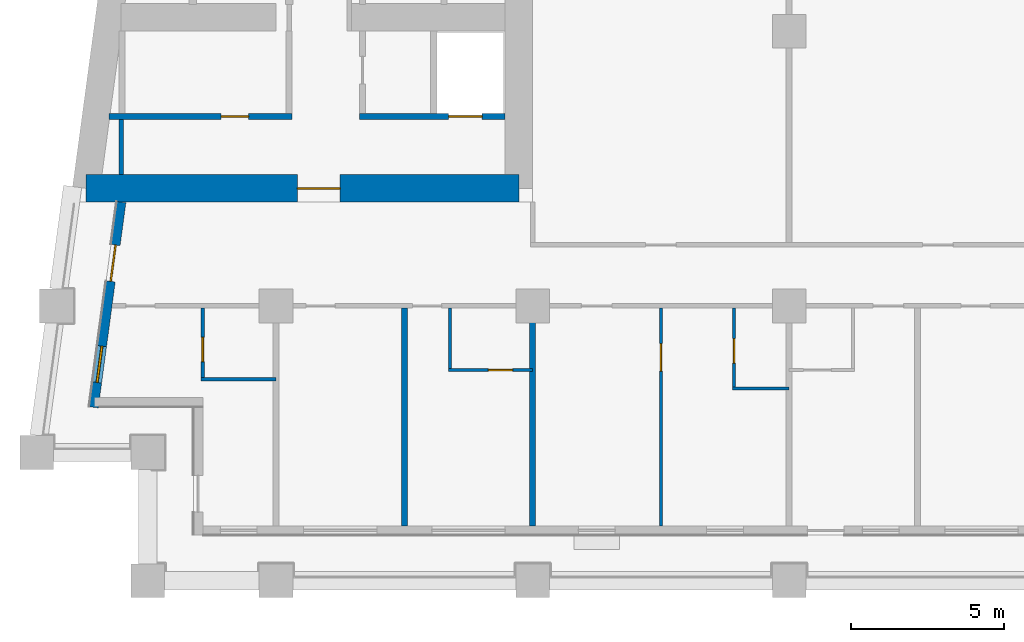
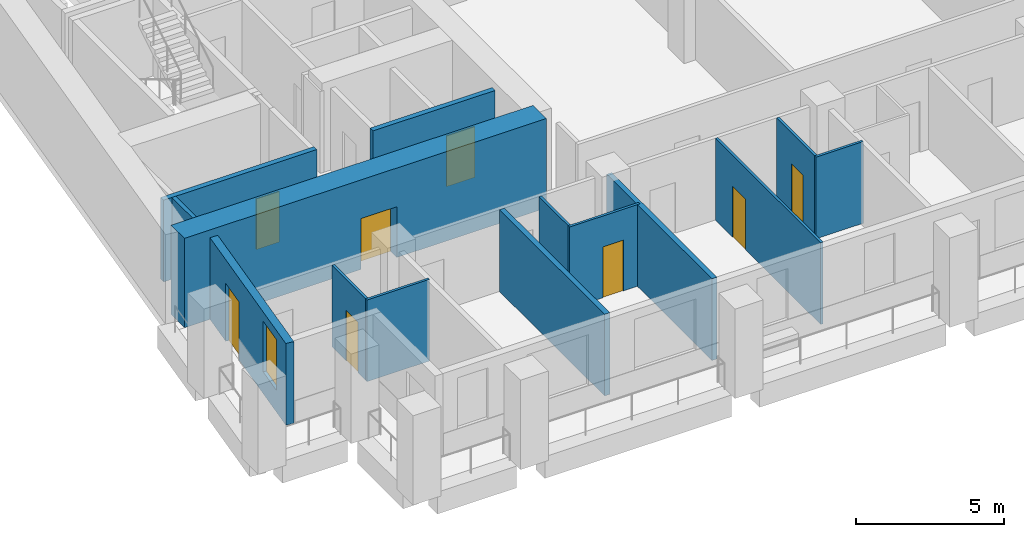
# One storey, part 2 of 13: 14 walls, 8 doors, 1 window, 9 openings.
"""IFC4 building model written with IfcOpenShell, lengths in metres."""

from ifc_helpers import new_model, si_unit, direction, frame, frame_2d, origin, place, context, subcontext, project, spatial, rectangle, extrude, material, layer, layer_set, type_object, element, fill, save


model = new_model("IFC4")

# Units and contexts
model_context = context("Model", 3, precision=1e-05, world=origin(), true_north=direction((0.0, 1.0)))
body_context = subcontext(model_context, "Body", "Model", "MODEL_VIEW")
ifc_project = project(units=[si_unit("LENGTHUNIT", "METRE"), si_unit("AREAUNIT", "SQUARE_METRE"), si_unit("VOLUMEUNIT", "CUBIC_METRE"), si_unit("PLANEANGLEUNIT", "RADIAN"), si_unit("MASSUNIT", "GRAM", prefix="KILO")], contexts=[model_context])

# Site, building, storey
site_placement = place(None, origin())
site = spatial("IfcSite", under=ifc_project, at=site_placement, CompositionType="ELEMENT")
building_placement = place(site_placement, origin())
building = spatial("IfcBuilding", under=site, at=building_placement, Name="Candeia Pilgrim Tower and Theatre", CompositionType="ELEMENT")
storey_placement = place(building_placement, frame((0.0, 0.0, 170.0)))
storey = spatial("IfcBuildingStorey", under=building, at=storey_placement, Name="L40", CompositionType="ELEMENT", Elevation=170.0)

# Wall, opening, door
ifc_material_1 = material(Name="Concrete C60/75", Category="concrete")
ifc_layer_1 = layer(ifc_material_1, 0.89990234375)
ifc_layer_set_1 = layer_set([ifc_layer_1], Name="Core wall 900 C60/75")
wall_type_1 = type_object("IfcWallType", Name="Core wall 900 C60/75", PredefinedType="SHEAR", material=ifc_layer_set_1)
wall_1_placement = place(storey_placement, frame((100.35009765625, 110.85009765625, 0.0), z_axis=(0.0, 0.0, 1.0), x_axis=(-1.0, 0.0, 0.0)))
wall_1 = element("IfcWall", 1, at=wall_1_placement, inside=storey, type_object=wall_type_1, Name="Core wall W3", PredefinedType="SHEAR", context=body_context, shape_type="SweptSolid", body=[
    extrude(rectangle(XDim=14.166259765625, YDim=0.89990234375, at=frame_2d((7.0830078125, 0.0))), origin(), (0.0, 0.0, 1.0), 3.699951171875),
])
opening_1_placement = place(wall_1_placement, frame((5.854736328125, 0.0, 0.0)))
opening_1 = element("IfcOpeningElement", 2, at=opening_1_placement, cuts=wall_1, Name="Opening L40-D050", PredefinedType="OPENING", context=body_context, shape_type="SweptSolid", body=[
    extrude(rectangle(XDim=1.39990234375, YDim=2.10009765625, at=frame_2d((0.699951171875, 1.050048828125))), frame((0.0, 0.4599609375, 0.0), z_axis=(0.0, -1.0, 0.0), x_axis=(1.0, 0.0, 0.0)), (0.0, 0.0, 1.0), 0.919921875),
])
ifc_material_2 = material(Name="Steel fire door set", Category="steel")
door_type_1 = type_object("IfcDoorType", Name="D-1400-FD60", OperationType="NOTDEFINED", PredefinedType="DOOR", material=ifc_material_2)
door_1_placement = place(opening_1_placement, origin())
door_1 = element("IfcDoor", 3, at=door_1_placement, inside=storey, type_object=door_type_1, Name="Door L40-D050", OperationType="SINGLE_SWING_RIGHT", OverallHeight=2.10009765625, OverallWidth=1.39990234375, PredefinedType="DOOR", context=body_context, shape_type="SweptSolid", body=[
    extrude(rectangle(XDim=1.39990234375, YDim=2.10009765625, at=frame_2d((0.699951171875, 1.050048828125))), frame((0.0, 0.02490234375, 0.0), z_axis=(0.0, -1.0, 0.0), x_axis=(1.0, 0.0, 0.0)), (0.0, 0.0, 1.0), 0.050048828125),
])
fill(opening_1, door_1)

# Wall, openings, door, window
ifc_material_3 = material(Name="Ceramic block masonry", Category="masonry")
ifc_layer_2 = layer(ifc_material_3, 0.300048828125)
ifc_layer_set_2 = layer_set([ifc_layer_2], Name="EW1 glazing-line wall 300")
wall_type_2 = type_object("IfcWallType", Name="EW1 glazing-line wall 300", PredefinedType="SOLIDWALL", material=ifc_layer_set_2)
wall_2_placement = place(storey_placement, frame((87.334228515625, 110.39990234375, 0.0), z_axis=(0.0, 0.0, 1.0), x_axis=(-0.133437175554, -0.991057273915, 0.0)))
wall_2 = element("IfcWall", 4, at=wall_2_placement, inside=storey, type_object=wall_type_2, Name="External wall L40-9.1", PredefinedType="SOLIDWALL", context=body_context, shape_type="SweptSolid", body=[
    extrude(rectangle(XDim=6.780517578125, YDim=0.300048828125, at=frame_2d((3.39013671875, 0.0))), origin(), (0.0, 0.0, 1.0), 3.3798828125),
])
opening_2_placement = place(wall_2_placement, frame((1.41796875, 0.0, 0.0)))
opening_2 = element("IfcOpeningElement", 5, at=opening_2_placement, cuts=wall_2, Name="Opening L40-ED390", PredefinedType="OPENING", context=body_context, shape_type="SweptSolid", body=[
    extrude(rectangle(XDim=1.199951171875, YDim=2.39990234375, at=frame_2d((0.60009765625, 1.199951171875))), frame((0.0, 0.16015625, 0.0), z_axis=(0.0, -1.0, 0.0), x_axis=(1.0, 0.0, 0.0)), (0.0, 0.0, 1.0), 0.320068359375),
])
opening_3_placement = place(wall_2_placement, frame((4.75830078125, 0.0, 0.89990234375)))
opening_3 = element("IfcOpeningElement", 6, at=opening_3_placement, cuts=wall_2, Name="Opening W-B", PredefinedType="OPENING", context=body_context, shape_type="SweptSolid", body=[
    extrude(rectangle(XDim=1.199951171875, YDim=2.10009765625, at=frame_2d((0.60009765625, 1.050048828125))), frame((0.0, 0.16015625, 0.0), z_axis=(0.0, -1.0, 0.0), x_axis=(1.0, 0.0, 0.0)), (0.0, 0.0, 1.0), 0.320068359375),
])
ifc_material_4 = material(Name="Aluminium framed glazed door", Category="aluminium")
door_type_2 = type_object("IfcDoorType", Name="Loggia door 1200x2400", OperationType="DOUBLE_DOOR_SINGLE_SWING", PredefinedType="DOOR", material=ifc_material_4)
door_2_placement = place(opening_2_placement, origin())
door_2 = element("IfcDoor", 7, at=door_2_placement, inside=storey, type_object=door_type_2, Name="Loggia door L40-ED390", OperationType="DOUBLE_DOOR_SINGLE_SWING", OverallHeight=2.39990234375, OverallWidth=1.199951171875, PredefinedType="DOOR", context=body_context, shape_type="SweptSolid", body=[
    extrude(rectangle(XDim=1.199951171875, YDim=2.39990234375, at=frame_2d((0.60009765625, 1.199951171875))), frame((0.0, 0.02490234375, 0.0), z_axis=(0.0, -1.0, 0.0), x_axis=(1.0, 0.0, 0.0)), (0.0, 0.0, 1.0), 0.050048828125),
])
fill(opening_2, door_2)
ifc_material_5 = material(Name="Aluminium framed double glazing", Category="aluminium")
window_type = type_object("IfcWindowType", Name="W-B window 1200x2100", PartitioningType="SINGLE_PANEL", PredefinedType="WINDOW", material=ifc_material_5)
window_placement = place(opening_3_placement, origin())
window = element("IfcWindow", 8, at=window_placement, inside=storey, type_object=window_type, Name="Window W-B L40", OverallHeight=2.10009765625, OverallWidth=1.199951171875, PartitioningType="SINGLE_PANEL", PredefinedType="WINDOW", context=body_context, shape_type="SweptSolid", body=[
    extrude(rectangle(XDim=1.199951171875, YDim=2.10009765625, at=frame_2d((0.60009765625, 1.050048828125))), frame((0.0, 0.030029296875, 0.0), z_axis=(0.0, -1.0, 0.0), x_axis=(1.0, 0.0, 0.0)), (0.0, 0.0, 1.0), 0.06005859375),
])
fill(opening_3, window)

# Walls
ifc_material_6 = material(Name="Gypsum board partition on steel studs", Category="steel")
ifc_layer_3 = layer(ifc_material_6, 0.10009765625)
ifc_layer_set_3 = layer_set([ifc_layer_3], Name="PW-100 room partition")
wall_type_3 = type_object("IfcWallType", Name="PW-100 room partition", PredefinedType="PARTITIONING", material=ifc_layer_set_3)
wall_3_placement = place(storey_placement, frame((107.35009765625, 104.300048828125, 0.0), z_axis=(0.0, 0.0, 1.0), x_axis=(1.0, 0.0, 0.0)))
element("IfcWall", 9, at=wall_3_placement, inside=storey, type_object=wall_type_3, Name="Room partition L40-001", PredefinedType="PARTITIONING", context=body_context, shape_type="SweptSolid", body=[
    extrude(rectangle(XDim=1.849853515625, YDim=0.10009765625, at=frame_2d((0.9248046875, 0.0))), origin(), (0.0, 0.0, 1.0), 3.3798828125),
])
wall_4_placement = place(storey_placement, frame((89.949951171875, 104.60009765625, 0.0), z_axis=(0.0, 0.0, 1.0), x_axis=(1.0, 0.0, 0.0)))
element("IfcWall", 10, at=wall_4_placement, inside=storey, type_object=wall_type_3, Name="Room partition L40-004", PredefinedType="PARTITIONING", context=body_context, shape_type="SweptSolid", body=[
    extrude(rectangle(XDim=2.449951171875, YDim=0.10009765625, at=frame_2d((1.22509765625, 0.0))), origin(), (0.0, 0.0, 1.0), 3.3798828125),
])

# Wall, opening, door
wall_5_placement = place(storey_placement, frame((98.050048828125, 104.89990234375, 0.0), z_axis=(0.0, 0.0, 1.0), x_axis=(1.0, 0.0, 0.0)))
wall_5 = element("IfcWall", 11, at=wall_5_placement, inside=storey, type_object=wall_type_3, Name="Room partition L40-005", PredefinedType="PARTITIONING", context=body_context, shape_type="SweptSolid", body=[
    extrude(rectangle(XDim=2.75, YDim=0.10009765625, at=frame_2d((1.375, 0.0))), origin(), (0.0, 0.0, 1.0), 3.3798828125),
])
opening_4_placement = place(wall_5_placement, frame((1.300048828125, 0.0, 0.0)))
opening_4 = element("IfcOpeningElement", 12, at=opening_4_placement, cuts=wall_5, Name="Opening L40-D018", PredefinedType="OPENING", context=body_context, shape_type="SweptSolid", body=[
    extrude(rectangle(XDim=0.800048828125, YDim=2.10009765625, at=frame_2d((0.39990234375, 1.050048828125))), frame((0.0, 0.06005859375, 0.0), z_axis=(0.0, -1.0, 0.0), x_axis=(1.0, 0.0, 0.0)), (0.0, 0.0, 1.0), 0.1201171875),
])
ifc_material_7 = material(Name="Timber door leaf", Category="wood")
door_type_3 = type_object("IfcDoorType", Name="D-800", OperationType="NOTDEFINED", PredefinedType="DOOR", material=ifc_material_7)
door_3_placement = place(opening_4_placement, origin())
door_3 = element("IfcDoor", 13, at=door_3_placement, inside=storey, type_object=door_type_3, Name="Door L40-D018", OperationType="SINGLE_SWING_RIGHT", OverallHeight=2.10009765625, OverallWidth=0.800048828125, PredefinedType="DOOR", context=body_context, shape_type="SweptSolid", body=[
    extrude(rectangle(XDim=0.800048828125, YDim=2.10009765625, at=frame_2d((0.39990234375, 1.050048828125))), frame((0.0, 0.02490234375, 0.0), z_axis=(0.0, -1.0, 0.0), x_axis=(1.0, 0.0, 0.0)), (0.0, 0.0, 1.0), 0.050048828125),
])
fill(opening_4, door_3)

wall_6_placement = place(storey_placement, frame((90.0, 104.64990234375, 0.0), z_axis=(0.0, 0.0, 1.0), x_axis=(0.0, 1.0, 0.0)))
wall_6 = element("IfcWall", 14, at=wall_6_placement, inside=storey, type_object=wall_type_3, Name="Room partition L40-051", PredefinedType="PARTITIONING", context=body_context, shape_type="SweptSolid", body=[
    extrude(rectangle(XDim=2.275146484375, YDim=0.10009765625, at=frame_2d((1.1376953125, 0.0))), origin(), (0.0, 0.0, 1.0), 3.3798828125),
])
opening_5_placement = place(wall_6_placement, frame((0.52490234375, 0.0, 0.0)))
opening_5 = element("IfcOpeningElement", 15, at=opening_5_placement, cuts=wall_6, Name="Opening L40-D015", PredefinedType="OPENING", context=body_context, shape_type="SweptSolid", body=[
    extrude(rectangle(XDim=0.800048828125, YDim=2.10009765625, at=frame_2d((0.39990234375, 1.050048828125))), frame((0.0, 0.06005859375, 0.0), z_axis=(0.0, -1.0, 0.0), x_axis=(1.0, 0.0, 0.0)), (0.0, 0.0, 1.0), 0.1201171875),
])
door_4_placement = place(opening_5_placement, origin())
door_4 = element("IfcDoor", 16, at=door_4_placement, inside=storey, type_object=door_type_3, Name="Door L40-D015", OperationType="SINGLE_SWING_LEFT", OverallHeight=2.10009765625, OverallWidth=0.800048828125, PredefinedType="DOOR", context=body_context, shape_type="SweptSolid", body=[
    extrude(rectangle(XDim=0.800048828125, YDim=2.10009765625, at=frame_2d((0.39990234375, 1.050048828125))), frame((0.0, 0.02490234375, 0.0), z_axis=(0.0, -1.0, 0.0), x_axis=(1.0, 0.0, 0.0)), (0.0, 0.0, 1.0), 0.050048828125),
])
fill(opening_5, door_4)

# Wall
wall_7_placement = place(storey_placement, frame((98.10009765625, 104.949951171875, 0.0), z_axis=(0.0, 0.0, 1.0), x_axis=(0.0, 1.0, 0.0)))
element("IfcWall", 17, at=wall_7_placement, inside=storey, type_object=wall_type_3, Name="Room partition L40-068", PredefinedType="PARTITIONING", context=body_context, shape_type="SweptSolid", body=[
    extrude(rectangle(XDim=1.97509765625, YDim=0.10009765625, at=frame_2d((0.987548828125, 0.0))), origin(), (0.0, 0.0, 1.0), 3.3798828125),
])

# Wall, opening, door
wall_8_placement = place(storey_placement, frame((105.0, 99.7900390625, 0.0), z_axis=(0.0, 0.0, 1.0), x_axis=(0.0, 1.0, 0.0)))
wall_8 = element("IfcWall", 18, at=wall_8_placement, inside=storey, type_object=wall_type_3, Name="Room partition L40-074", PredefinedType="PARTITIONING", context=body_context, shape_type="SweptSolid", body=[
    extrude(rectangle(XDim=7.135009765625, YDim=0.10009765625, at=frame_2d((3.5673828125, 0.0))), origin(), (0.0, 0.0, 1.0), 3.3798828125),
])
opening_6_placement = place(wall_8_placement, frame((5.074951171875, 0.0, 0.0)))
opening_6 = element("IfcOpeningElement", 19, at=opening_6_placement, cuts=wall_8, Name="Opening L40-D020", PredefinedType="OPENING", context=body_context, shape_type="SweptSolid", body=[
    extrude(rectangle(XDim=0.89990234375, YDim=2.10009765625, at=frame_2d((0.449951171875, 1.050048828125))), frame((0.0, 0.06005859375, 0.0), z_axis=(0.0, -1.0, 0.0), x_axis=(1.0, 0.0, 0.0)), (0.0, 0.0, 1.0), 0.1201171875),
])
door_type_4 = type_object("IfcDoorType", Name="D-900", OperationType="NOTDEFINED", PredefinedType="DOOR", material=ifc_material_7)
door_5_placement = place(opening_6_placement, origin())
door_5 = element("IfcDoor", 20, at=door_5_placement, inside=storey, type_object=door_type_4, Name="Door L40-D020", OperationType="SINGLE_SWING_RIGHT", OverallHeight=2.10009765625, OverallWidth=0.89990234375, PredefinedType="DOOR", context=body_context, shape_type="SweptSolid", body=[
    extrude(rectangle(XDim=0.89990234375, YDim=2.10009765625, at=frame_2d((0.449951171875, 1.050048828125))), frame((0.0, 0.02490234375, 0.0), z_axis=(0.0, -1.0, 0.0), x_axis=(1.0, 0.0, 0.0)), (0.0, 0.0, 1.0), 0.050048828125),
])
fill(opening_6, door_5)

wall_9_placement = place(storey_placement, frame((107.39990234375, 104.35009765625, 0.0), z_axis=(0.0, 0.0, 1.0), x_axis=(0.0, 1.0, 0.0)))
wall_9 = element("IfcWall", 21, at=wall_9_placement, inside=storey, type_object=wall_type_3, Name="Room partition L40-077", PredefinedType="PARTITIONING", context=body_context, shape_type="SweptSolid", body=[
    extrude(rectangle(XDim=2.574951171875, YDim=0.10009765625, at=frame_2d((1.28759765625, 0.0))), origin(), (0.0, 0.0, 1.0), 3.3798828125),
])
opening_7_placement = place(wall_9_placement, frame((0.780029296875, 0.0, 0.0)))
opening_7 = element("IfcOpeningElement", 22, at=opening_7_placement, cuts=wall_9, Name="Opening L40-D021", PredefinedType="OPENING", context=body_context, shape_type="SweptSolid", body=[
    extrude(rectangle(XDim=0.800048828125, YDim=2.10009765625, at=frame_2d((0.39990234375, 1.050048828125))), frame((0.0, 0.06005859375, 0.0), z_axis=(0.0, -1.0, 0.0), x_axis=(1.0, 0.0, 0.0)), (0.0, 0.0, 1.0), 0.1201171875),
])
door_6_placement = place(opening_7_placement, origin())
door_6 = element("IfcDoor", 23, at=door_6_placement, inside=storey, type_object=door_type_3, Name="Door L40-D021", OperationType="SINGLE_SWING_LEFT", OverallHeight=2.10009765625, OverallWidth=0.800048828125, PredefinedType="DOOR", context=body_context, shape_type="SweptSolid", body=[
    extrude(rectangle(XDim=0.800048828125, YDim=2.10009765625, at=frame_2d((0.39990234375, 1.050048828125))), frame((0.0, 0.02490234375, 0.0), z_axis=(0.0, -1.0, 0.0), x_axis=(1.0, 0.0, 0.0)), (0.0, 0.0, 1.0), 0.050048828125),
])
fill(opening_7, door_6)

# Walls
ifc_layer_4 = layer(ifc_material_6, 0.14990234375)
ifc_layer_set_4 = layer_set([ifc_layer_4], Name="PW-150 lobby wall")
wall_type_4 = type_object("IfcWallType", Name="PW-150 lobby wall", PredefinedType="PARTITIONING", material=ifc_layer_set_4)
wall_10_placement = place(storey_placement, frame((87.327880859375, 111.300048828125, 0.0), z_axis=(0.0, 0.0, 1.0), x_axis=(0.0, 1.0, 0.0)))
element("IfcWall", 24, at=wall_10_placement, inside=storey, type_object=wall_type_4, Name="Lobby wall L40-048", PredefinedType="PARTITIONING", context=body_context, shape_type="SweptSolid", body=[
    extrude(rectangle(XDim=1.800048828125, YDim=0.14990234375, at=frame_2d((0.89990234375, 0.0))), origin(), (0.0, 0.0, 1.0), 3.3798828125),
])
ifc_layer_5 = layer(ifc_material_6, 0.199951171875)
ifc_layer_set_5 = layer_set([ifc_layer_5], Name="PW-200 party wall")
wall_type_5 = type_object("IfcWallType", Name="PW-200 party wall", PredefinedType="PARTITIONING", material=ifc_layer_set_5)
for number, where, z_axis, x_axis, name in (
    (25, (96.60009765625, 99.7900390625, 0.0), (0.0, 0.0, 1.0), (0.0, 1.0, 0.0), "Party wall L40-063"),
    (26, (100.800048828125, 99.7900390625, 0.0), (0.0, 0.0, 1.0), (0.0, 1.0, 0.0), "Party wall L40-069"),
):
    element("IfcWall", number, at=place(storey_placement, frame(where, z_axis=z_axis, x_axis=x_axis)), inside=storey, type_object=wall_type_5, Name=name, PredefinedType="PARTITIONING", context=body_context, shape_type="SweptSolid", body=[
        extrude(rectangle(XDim=7.135009765625, YDim=0.199951171875, at=frame_2d((3.5673828125, 0.0))), origin(), (0.0, 0.0, 1.0), 3.3798828125),
    ])

# Wall, opening, door
ifc_material_8 = material(Name="Concrete C40/50", Category="concrete")
ifc_layer_6 = layer(ifc_material_8, 0.199951171875)
ifc_layer_set_6 = layer_set([ifc_layer_6], Name="SW-200 shaft wall")
wall_type_6 = type_object("IfcWallType", Name="SW-200 shaft wall", PredefinedType="PARTITIONING", material=ifc_layer_set_6)
wall_11_placement = place(storey_placement, frame((86.92431640625, 113.199951171875, 0.0), z_axis=(0.0, 0.0, 1.0), x_axis=(1.0, 0.0, 0.0)))
wall_11 = element("IfcWall", 27, at=wall_11_placement, inside=storey, type_object=wall_type_6, Name="Shaft wall L40-010", PredefinedType="PARTITIONING", context=body_context, shape_type="SweptSolid", body=[
    extrude(rectangle(XDim=6.002685546875, YDim=0.199951171875, at=frame_2d((3.00146484375, 0.0))), origin(), (0.0, 0.0, 1.0), 3.3798828125),
])
opening_8_placement = place(wall_11_placement, frame((3.677734375, 0.0, 0.0)))
opening_8 = element("IfcOpeningElement", 28, at=opening_8_placement, cuts=wall_11, Name="Opening L40-D006", PredefinedType="OPENING", context=body_context, shape_type="SweptSolid", body=[
    extrude(rectangle(XDim=0.89990234375, YDim=2.10009765625, at=frame_2d((0.449951171875, 1.050048828125))), frame((0.0, 0.10986328125, 0.0), z_axis=(0.0, -1.0, 0.0), x_axis=(1.0, 0.0, 0.0)), (0.0, 0.0, 1.0), 0.219970703125),
])
door_type_5 = type_object("IfcDoorType", Name="D-900-FD60", OperationType="NOTDEFINED", PredefinedType="DOOR", material=ifc_material_2)
door_7_placement = place(opening_8_placement, origin())
door_7 = element("IfcDoor", 29, at=door_7_placement, inside=storey, type_object=door_type_5, Name="Door L40-D006", OperationType="SINGLE_SWING_LEFT", OverallHeight=2.10009765625, OverallWidth=0.89990234375, PredefinedType="DOOR", context=body_context, shape_type="SweptSolid", body=[
    extrude(rectangle(XDim=0.89990234375, YDim=2.10009765625, at=frame_2d((0.449951171875, 1.050048828125))), frame((0.0, 0.02490234375, 0.0), z_axis=(0.0, -1.0, 0.0), x_axis=(1.0, 0.0, 0.0)), (0.0, 0.0, 1.0), 0.050048828125),
])
fill(opening_8, door_7)

wall_12_placement = place(storey_placement, frame((95.126953125, 113.199951171875, 0.0), z_axis=(0.0, 0.0, 1.0), x_axis=(1.0, 0.0, 0.0)))
wall_12 = element("IfcWall", 30, at=wall_12_placement, inside=storey, type_object=wall_type_6, Name="Shaft wall L40-011", PredefinedType="PARTITIONING", context=body_context, shape_type="SweptSolid", body=[
    extrude(rectangle(XDim=4.77294921875, YDim=0.199951171875, at=frame_2d((2.386474609375, 0.0))), origin(), (0.0, 0.0, 1.0), 3.3798828125),
])
opening_9_placement = place(wall_12_placement, frame((2.9208984375, 0.0, 0.0)))
opening_9 = element("IfcOpeningElement", 31, at=opening_9_placement, cuts=wall_12, Name="Opening L40-LD03", PredefinedType="OPENING", context=body_context, shape_type="SweptSolid", body=[
    extrude(rectangle(XDim=1.10009765625, YDim=2.10009765625, at=frame_2d((0.550048828125, 1.050048828125))), frame((0.0, 0.10986328125, 0.0), z_axis=(0.0, -1.0, 0.0), x_axis=(1.0, 0.0, 0.0)), (0.0, 0.0, 1.0), 0.219970703125),
])
ifc_material_9 = material(Name="Glazed aluminium landing door", Category="aluminium")
door_type_6 = type_object("IfcDoorType", Name="LD-1100-EI120", OperationType="SLIDING_TO_LEFT", PredefinedType="DOOR", material=ifc_material_9)
door_8_placement = place(opening_9_placement, origin())
door_8 = element("IfcDoor", 32, at=door_8_placement, inside=storey, type_object=door_type_6, Name="Landing door 03 L40", OperationType="SLIDING_TO_LEFT", OverallHeight=2.10009765625, OverallWidth=1.10009765625, PredefinedType="DOOR", context=body_context, shape_type="SweptSolid", body=[
    extrude(rectangle(XDim=1.10009765625, YDim=2.10009765625, at=frame_2d((0.550048828125, 1.050048828125))), frame((0.0, 0.02490234375, 0.0), z_axis=(0.0, -1.0, 0.0), x_axis=(1.0, 0.0, 0.0)), (0.0, 0.0, 1.0), 0.050048828125),
])
fill(opening_9, door_8)

save(model, "model.ifc")
